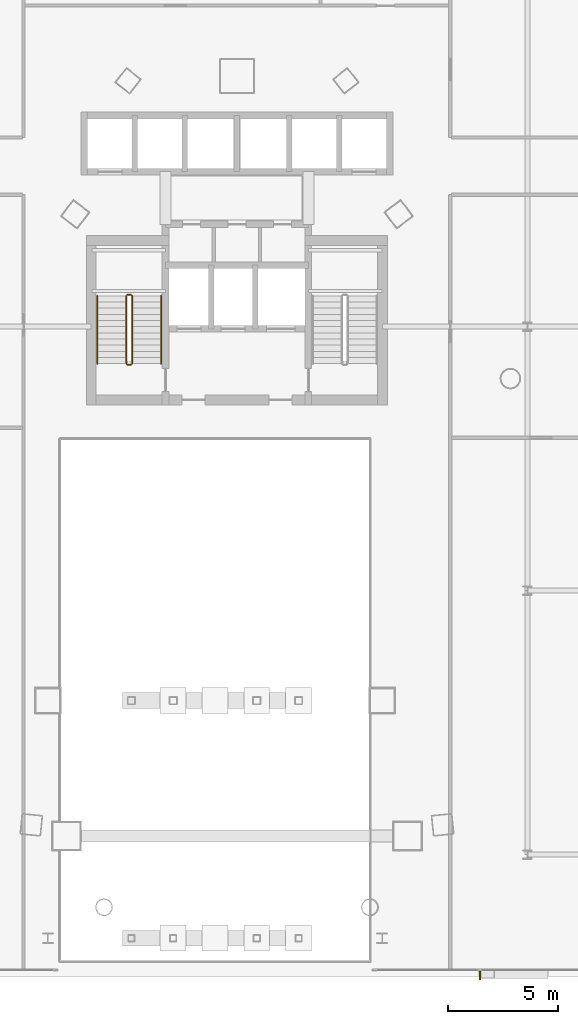
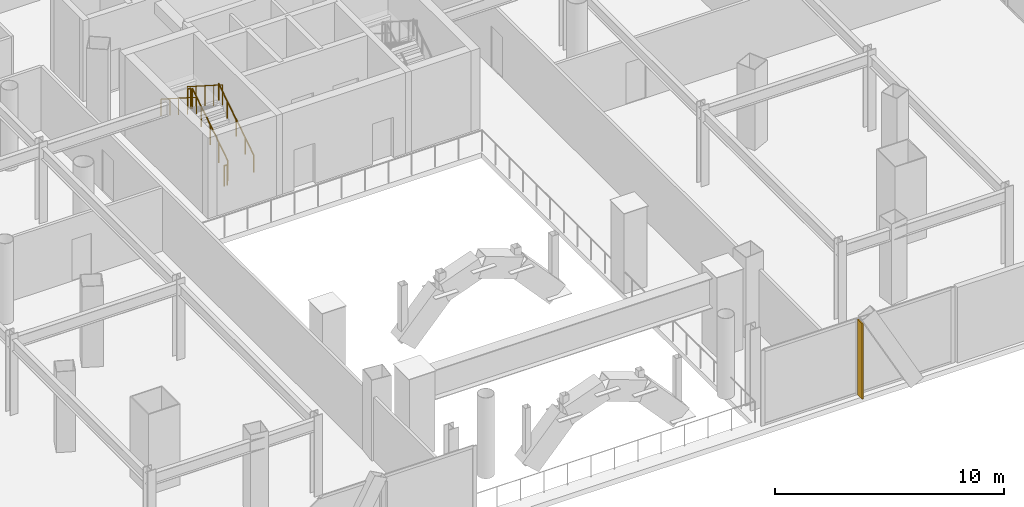
# One storey, part 37 of 42: 6 railings, 1 shading device.
"""IFC4 building model written with IfcOpenShell, lengths in metres."""

from ifc_helpers import new_model, si_unit, direction, frame, origin, origin_2d, place, context, subcontext, project, spatial, rectangle, circle, extrude, material, layer, layer_set, type_object, element, save


model = new_model("IFC4")

# Units and contexts
model_context = context("Model", 3, precision=1e-05, world=origin(), true_north=direction((0.0, 1.0)))
body_context = subcontext(model_context, "Body", "Model", "MODEL_VIEW")
ifc_project = project(units=[si_unit("LENGTHUNIT", "METRE"), si_unit("AREAUNIT", "SQUARE_METRE"), si_unit("VOLUMEUNIT", "CUBIC_METRE"), si_unit("PLANEANGLEUNIT", "RADIAN"), si_unit("MASSUNIT", "GRAM", prefix="KILO")], contexts=[model_context])

# Site, building, storey
site_placement = place(None, origin())
site = spatial("IfcSite", under=ifc_project, at=site_placement, CompositionType="ELEMENT")
building_placement = place(site_placement, origin())
building = spatial("IfcBuilding", under=site, at=building_placement, Name="Orvanel Arch Residences", CompositionType="ELEMENT")
storey_placement = place(building_placement, frame((0.0, 0.0, 9.800048828125)))
storey = spatial("IfcBuildingStorey", under=building, at=storey_placement, Name="L02", CompositionType="ELEMENT", Elevation=9.800048828125)

# Shading device
ifc_material_1 = material(Name="Bronze-anodised aluminium AA6063-T6", Category="aluminium")
ifc_layer = layer(ifc_material_1, 0.06494140625)
ifc_layer_set = layer_set([ifc_layer], Name="Bronze-anodised aluminium AA6063-T6")
shading_device_type = type_object("IfcShadingDeviceType", Name="FIN-BRZ-420", PredefinedType="USERDEFINED", material=ifc_layer_set)
shading_device_placement = place(storey_placement, frame((44.0400390625, 0.510009765625, 0.0), z_axis=(0.0, 0.0, 1.0), x_axis=(0.0, -1.0, 0.0)))
element("IfcShadingDevice", 1, at=shading_device_placement, inside=storey, type_object=shading_device_type, Name="L02 Anodised Bronze Mullion FIN 01", ObjectType="FIN", PredefinedType="USERDEFINED", context=body_context, shape_type="SweptSolid", body=[
    extrude(rectangle(XDim=0.419921875, YDim=0.06494140625, at=origin_2d()), origin(), (0.0, 0.0, 1.0), 4.02001953125),
])

# Railings
ifc_material_2 = material(Name="Structural steel AS/NZS 1163 C350L0 (Grade 350)", Category="steel")
railing_type_1 = type_object("IfcRailingType", Name="RL-STAIR-GUARD", PredefinedType="GUARDRAIL", material=ifc_material_2)
railing_1_placement = place(storey_placement, frame((28.22998046875, 28.320068359375, 0.17919921875)))
element("IfcRailing", 2, at=railing_1_placement, inside=storey, type_object=railing_type_1, Name="L02 ST-1 stair guard 1", PredefinedType="GUARDRAIL", context=body_context, shape_type="SweptSolid", body=[
    extrude(circle(Radius=0.02392578125, at=origin_2d()), frame((0.0, 0.001220703125, 1.076904296875), z_axis=(0.0, 0.842319903074, 0.538977903893), x_axis=(-1.0, 0.0, 0.0)), (0.0, 0.0, 1.0), 3.6533203125),
    extrude(circle(Radius=0.02099609375, at=origin_2d()), origin(), (0.0, 0.0, 1.0), 1.050048828125),
    extrude(circle(Radius=0.02099609375, at=origin_2d()), frame((0.0, 0.77001953125, 0.49267578125)), (0.0, 0.0, 1.0), 1.050048828125),
    extrude(circle(Radius=0.02099609375, at=origin_2d()), frame((0.0, 1.5400390625, 0.9853515625)), (0.0, 0.0, 1.0), 1.050048828125),
    extrude(circle(Radius=0.02099609375, at=origin_2d()), frame((0.0, 2.309814453125, 1.47802734375)), (0.0, 0.0, 1.0), 1.050048828125),
    extrude(circle(Radius=0.02099609375, at=origin_2d()), frame((0.0, 3.079833984375, 1.970703125)), (0.0, 0.0, 1.0), 1.050048828125),
])
railing_2_placement = place(storey_placement, frame((28.179931640625, 31.449951171875, 2.14990234375)))
element("IfcRailing", 3, at=railing_2_placement, inside=storey, type_object=railing_type_1, Name="L02 ST-1 stair guard 2", PredefinedType="GUARDRAIL", context=body_context, shape_type="SweptSolid", body=[
    extrude(circle(Radius=0.02392578125, at=origin_2d()), frame((-0.00146484375, 0.0, 1.076171875), z_axis=(-1.0, 0.0, 0.0), x_axis=(0.0, -1.0, 0.0)), (0.0, 0.0, 1.0), 0.156982421875),
    extrude(circle(Radius=0.02099609375, at=origin_2d()), origin(), (0.0, 0.0, 1.0), 1.050048828125),
    extrude(circle(Radius=0.02099609375, at=origin_2d()), frame((-0.159912109375, 0.0, 0.0)), (0.0, 0.0, 1.0), 1.050048828125),
])
railing_3_placement = place(storey_placement, frame((27.969970703125, 31.39990234375, 2.3291015625)))
element("IfcRailing", 4, at=railing_3_placement, inside=storey, type_object=railing_type_1, Name="L02 ST-1 stair guard 3", PredefinedType="GUARDRAIL", context=body_context, shape_type="SweptSolid", body=[
    extrude(circle(Radius=0.02392578125, at=origin_2d()), frame((0.0, -0.001220703125, 1.076904296875), z_axis=(0.0, -0.842289589211, 0.539025275759), x_axis=(1.0, 0.0, 0.0)), (0.0, 0.0, 1.0), 3.653564453125),
    extrude(circle(Radius=0.02099609375, at=origin_2d()), origin(), (0.0, 0.0, 1.0), 1.050048828125),
    extrude(circle(Radius=0.02099609375, at=origin_2d()), frame((0.0, -0.77001953125, 0.49267578125)), (0.0, 0.0, 1.0), 1.050048828125),
    extrude(circle(Radius=0.02099609375, at=origin_2d()), frame((0.0, -1.5400390625, 0.9853515625)), (0.0, 0.0, 1.0), 1.050048828125),
    extrude(circle(Radius=0.02099609375, at=origin_2d()), frame((0.0, -2.309814453125, 1.478271484375)), (0.0, 0.0, 1.0), 1.050048828125),
    extrude(circle(Radius=0.02099609375, at=origin_2d()), frame((0.0, -3.079833984375, 1.970947265625)), (0.0, 0.0, 1.0), 1.050048828125),
])
railing_4_placement = place(storey_placement, frame((28.179931640625, 28.27001953125, 0.0)))
element("IfcRailing", 5, at=railing_4_placement, inside=storey, type_object=railing_type_1, Name="L02 ST-1 stair guard 4", PredefinedType="GUARDRAIL", context=body_context, shape_type="SweptSolid", body=[
    extrude(circle(Radius=0.02392578125, at=origin_2d()), frame((-0.00146484375, 0.0, 1.076171875), z_axis=(-1.0, 0.0, 0.0), x_axis=(0.0, -1.0, 0.0)), (0.0, 0.0, 1.0), 0.156982421875),
    extrude(circle(Radius=0.02099609375, at=origin_2d()), origin(), (0.0, 0.0, 1.0), 1.050048828125),
    extrude(circle(Radius=0.02099609375, at=origin_2d()), frame((-0.159912109375, 0.0, 0.0)), (0.0, 0.0, 1.0), 1.050048828125),
])
railing_type_2 = type_object("IfcRailingType", Name="RL-STAIR-HAND", PredefinedType="HANDRAIL", material=ifc_material_2)
railing_5_placement = place(storey_placement, frame((29.550048828125, 28.320068359375, 0.17919921875)))
element("IfcRailing", 6, at=railing_5_placement, inside=storey, type_object=railing_type_2, Name="L02 ST-1 stair handrail 1", PredefinedType="HANDRAIL", context=body_context, shape_type="SweptSolid", body=[
    extrude(circle(Radius=0.02392578125, at=origin_2d()), frame((0.0, 0.001220703125, 0.876708984375), z_axis=(0.0, 0.842319903074, 0.538977903893), x_axis=(-1.0, 0.0, 0.0)), (0.0, 0.0, 1.0), 3.6533203125),
    extrude(circle(Radius=0.02099609375, at=origin_2d()), origin(), (0.0, 0.0, 1.0), 0.849853515625),
    extrude(circle(Radius=0.02099609375, at=origin_2d()), frame((0.0, 0.77001953125, 0.49267578125)), (0.0, 0.0, 1.0), 0.849853515625),
    extrude(circle(Radius=0.02099609375, at=origin_2d()), frame((0.0, 1.5400390625, 0.9853515625)), (0.0, 0.0, 1.0), 0.849853515625),
    extrude(circle(Radius=0.02099609375, at=origin_2d()), frame((0.0, 2.309814453125, 1.47802734375)), (0.0, 0.0, 1.0), 0.849853515625),
    extrude(circle(Radius=0.02099609375, at=origin_2d()), frame((0.0, 3.079833984375, 1.970703125)), (0.0, 0.0, 1.0), 0.849853515625),
])
railing_6_placement = place(storey_placement, frame((26.64990234375, 31.39990234375, 2.3291015625)))
element("IfcRailing", 7, at=railing_6_placement, inside=storey, type_object=railing_type_2, Name="L02 ST-1 stair handrail 2", PredefinedType="HANDRAIL", context=body_context, shape_type="SweptSolid", body=[
    extrude(circle(Radius=0.02392578125, at=origin_2d()), frame((0.0, -0.001220703125, 0.876708984375), z_axis=(0.0, -0.842289589211, 0.539025275759), x_axis=(1.0, 0.0, 0.0)), (0.0, 0.0, 1.0), 3.653564453125),
    extrude(circle(Radius=0.02099609375, at=origin_2d()), origin(), (0.0, 0.0, 1.0), 0.849853515625),
    extrude(circle(Radius=0.02099609375, at=origin_2d()), frame((0.0, -0.77001953125, 0.49267578125)), (0.0, 0.0, 1.0), 0.849853515625),
    extrude(circle(Radius=0.02099609375, at=origin_2d()), frame((0.0, -1.5400390625, 0.9853515625)), (0.0, 0.0, 1.0), 0.849853515625),
    extrude(circle(Radius=0.02099609375, at=origin_2d()), frame((0.0, -2.309814453125, 1.478271484375)), (0.0, 0.0, 1.0), 0.849853515625),
    extrude(circle(Radius=0.02099609375, at=origin_2d()), frame((0.0, -3.079833984375, 1.970947265625)), (0.0, 0.0, 1.0), 0.849853515625),
])

save(model, "model.ifc")
